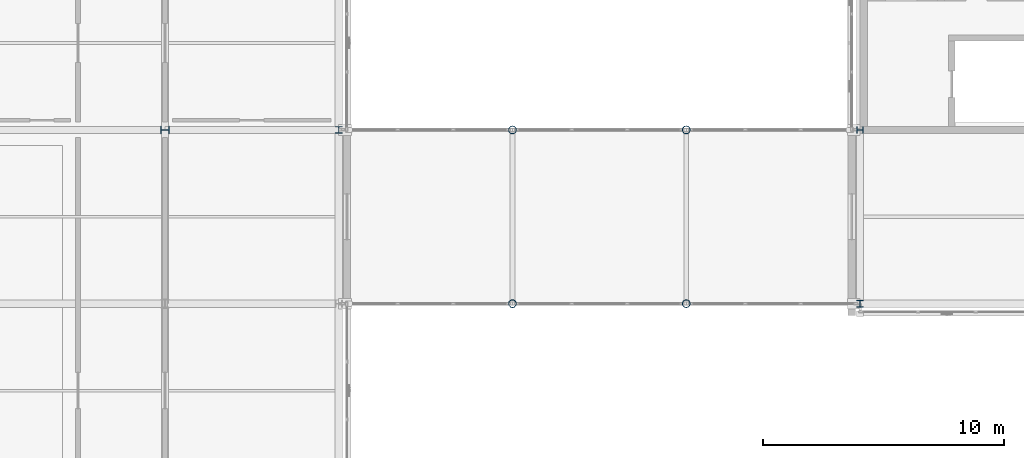
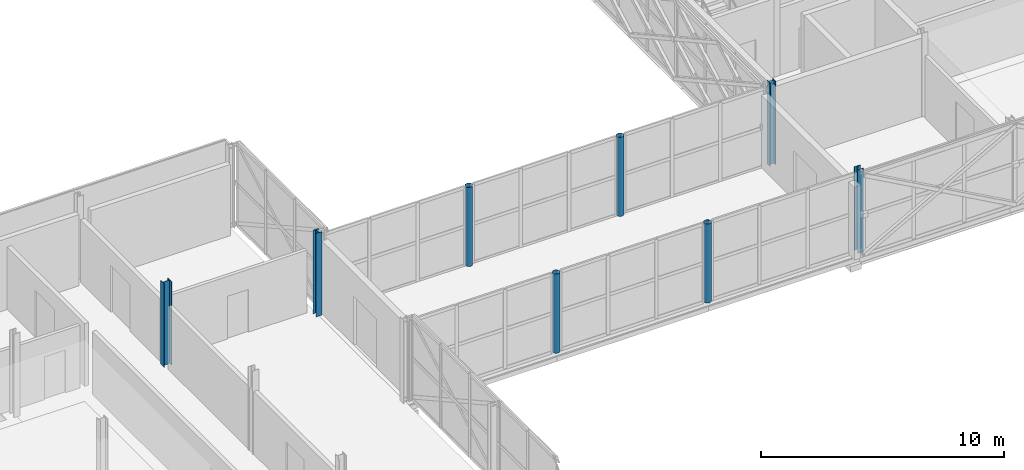
# One storey, part 7 of 103: 8 columns.
"""IFC4 building model written with IfcOpenShell, lengths in metres."""

from ifc_helpers import new_model, si_unit, direction, frame, origin, origin_2d, place, context, subcontext, project, spatial, hollow_circle, i_section, extrude, material, material_profile, profile_set, type_object, element, save


model = new_model("IFC4")

# Units and contexts
model_context = context("Model", 3, precision=1e-05, world=origin(), true_north=direction((0.0, 1.0)))
body_context = subcontext(model_context, "Body", "Model", "MODEL_VIEW")
ifc_project = project(units=[si_unit("LENGTHUNIT", "METRE"), si_unit("AREAUNIT", "SQUARE_METRE"), si_unit("VOLUMEUNIT", "CUBIC_METRE"), si_unit("PLANEANGLEUNIT", "RADIAN"), si_unit("MASSUNIT", "GRAM", prefix="KILO")], contexts=[model_context])

# Site, building, storey
site_placement = place(None, origin())
site = spatial("IfcSite", under=ifc_project, at=site_placement, CompositionType="ELEMENT")
building_placement = place(site_placement, origin())
building = spatial("IfcBuilding", under=site, at=building_placement, Name="Zlatovets Crest Museum", CompositionType="ELEMENT")
storey_placement = place(building_placement, frame((0.0, 0.0, 12.89990234375)))
storey = spatial("IfcBuildingStorey", under=building, at=storey_placement, Name="L03", CompositionType="ELEMENT", Elevation=12.89990234375)

# Columns
ifc_material = material(Name="Structural steel S355J2", Category="steel")
ifc_material_profile_1 = material_profile(ifc_material, i_section(OverallWidth=0.300048828125, OverallDepth=0.360107421875, WebThickness=0.012451171875, FlangeThickness=0.0224609375, FilletRadius=0.027099609375, at=origin_2d()), Name="HEB 360")
ifc_profile_set_1 = profile_set([ifc_material_profile_1], Name="Structural steel S355J2")
column_type_1 = type_object("IfcColumnType", Name="Col_C-08", PredefinedType="COLUMN", material=ifc_profile_set_1)
column_placement = place(storey_placement, frame((28.800048828125, 93.60009765625, 0.0), z_axis=(0.0, 0.0, 1.0), x_axis=(0.0, 1.0, 0.0)))
element("IfcColumn", 1, at=column_placement, inside=storey, type_object=column_type_1, Name="V4 L03 Column (28.8, 93.6)", PredefinedType="COLUMN", context=body_context, shape_type="SweptSolid", body=[
    extrude(i_section(OverallWidth=0.300048828125, OverallDepth=0.360107421875, WebThickness=0.012451171875, FlangeThickness=0.0224609375, FilletRadius=0.027099609375, at=origin_2d()), origin(), (0.0, 0.0, 1.0), 4.2001953125),
])
ifc_material_profile_2 = material_profile(ifc_material, hollow_circle(Radius=0.161865234375, WallThickness=0.012451171875, at=origin_2d()), Name="CHS 323.9x12.5")
ifc_profile_set_2 = profile_set([ifc_material_profile_2], Name="Structural steel S355J2")
column_type_2 = type_object("IfcColumnType", Name="Col_C-13", PredefinedType="COLUMN", material=ifc_profile_set_2)
for number, where, z_axis, x_axis, name in (
    (2, (43.199951171875, 86.39990234375, 0.0), (0.0, 0.0, 1.0), (1.0, 0.0, 0.0), "Northwest Crest Glazed Link Bridge Portal Column"),
    (3, (43.199951171875, 93.60009765625, 0.0), (0.0, 0.0, 1.0), (1.0, 0.0, 0.0), "Northwest Crest Glazed Link Bridge Portal Column"),
    (4, (50.39990234375, 86.39990234375, 0.0), (0.0, 0.0, 1.0), (1.0, 0.0, 0.0), "Northwest Crest Glazed Link Bridge Portal Column"),
    (5, (50.39990234375, 93.60009765625, 0.0), (0.0, 0.0, 1.0), (1.0, 0.0, 0.0), "Northwest Crest Glazed Link Bridge Portal Column"),
):
    element("IfcColumn", number, at=place(storey_placement, frame(where, z_axis=z_axis, x_axis=x_axis)), inside=storey, type_object=column_type_2, Name=name, PredefinedType="COLUMN", context=body_context, shape_type="SweptSolid", body=[
        extrude(hollow_circle(Radius=0.161865234375, WallThickness=0.012451171875, at=origin_2d()), origin(), (0.0, 0.0, 1.0), 3.97998046875),
    ])
ifc_material_profile_3 = material_profile(ifc_material, i_section(OverallWidth=0.280029296875, OverallDepth=0.280029296875, WebThickness=0.010498046875, FlangeThickness=0.01806640625, FilletRadius=0.02392578125, at=origin_2d()), Name="HEB 280")
ifc_profile_set_3 = profile_set([ifc_material_profile_3], Name="Structural steel S355J2")
column_type_3 = type_object("IfcColumnType", Name="Col_C-17", PredefinedType="COLUMN", material=ifc_profile_set_3)
for number, where, z_axis, x_axis, name in (
    (6, (57.60009765625, 86.39990234375, 0.0), (0.0, 0.0, 1.0), (1.0, 0.0, 0.0), "V1 L03 Column (57.6, 86.4)"),
    (7, (57.60009765625, 93.60009765625, 0.0), (0.0, 0.0, 1.0), (0.0, 1.0, 0.0), "V1 L03 Column (57.6, 93.6)"),
    (8, (36.0, 93.60009765625, 0.0), (0.0, 0.0, 1.0), (1.0, 0.0, 0.0), "V4 L03 Column (36.0, 93.6)"),
):
    element("IfcColumn", number, at=place(storey_placement, frame(where, z_axis=z_axis, x_axis=x_axis)), inside=storey, type_object=column_type_3, Name=name, PredefinedType="COLUMN", context=body_context, shape_type="SweptSolid", body=[
        extrude(i_section(OverallWidth=0.280029296875, OverallDepth=0.280029296875, WebThickness=0.010498046875, FlangeThickness=0.01806640625, FilletRadius=0.02392578125, at=origin_2d()), origin(), (0.0, 0.0, 1.0), 4.2001953125),
    ])

save(model, "model.ifc")
